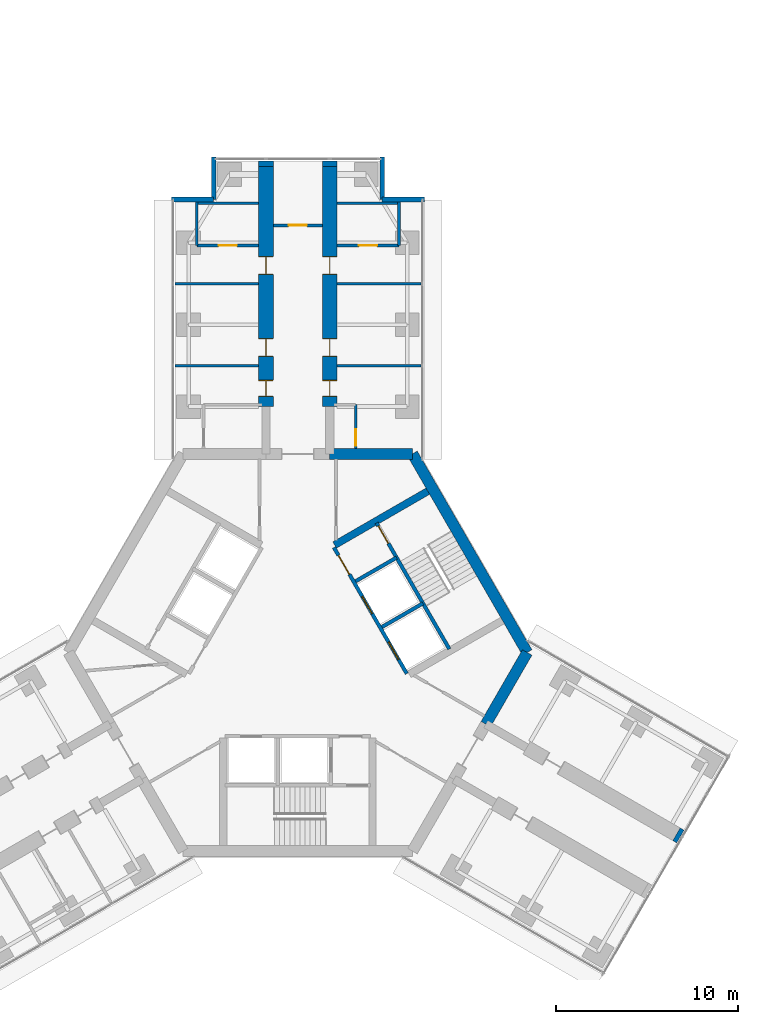
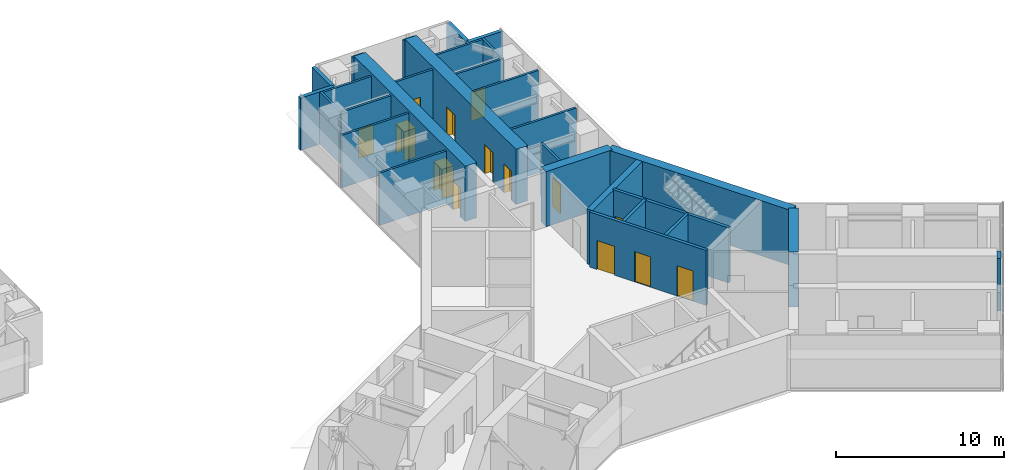
# One storey, part 20 of 22: 29 walls, 14 doors, 14 openings.
"""IFC4 building model written with IfcOpenShell, lengths in metres."""

from ifc_helpers import new_model, si_unit, direction, frame, frame_2d, origin, place, context, subcontext, project, spatial, rectangle, extrude, material, layer, layer_set, type_object, element, fill, save


model = new_model("IFC4")

# Units and contexts
model_context = context("Model", 3, precision=1e-05, world=origin(), true_north=direction((0.0, 1.0)))
body_context = subcontext(model_context, "Body", "Model", "MODEL_VIEW")
ifc_project = project(units=[si_unit("LENGTHUNIT", "METRE"), si_unit("AREAUNIT", "SQUARE_METRE"), si_unit("VOLUMEUNIT", "CUBIC_METRE"), si_unit("PLANEANGLEUNIT", "RADIAN"), si_unit("MASSUNIT", "GRAM", prefix="KILO")], contexts=[model_context])

# Site, building, storey
site_placement = place(None, origin())
site = spatial("IfcSite", under=ifc_project, at=site_placement, CompositionType="ELEMENT")
building_placement = place(site_placement, origin())
building = spatial("IfcBuilding", under=site, at=building_placement, Name="Upepo Twin Towers", CompositionType="ELEMENT")
storey_placement = place(building_placement, frame((0.0, 0.0, 141.5)))
storey = spatial("IfcBuildingStorey", under=building, at=storey_placement, Name="L34", CompositionType="ELEMENT", Elevation=141.5)

# Walls
ifc_material_1 = material(Name="Dense concrete blockwork", Category="masonry")
ifc_layer_1 = layer(ifc_material_1, 0.800048828125)
ifc_layer_set_1 = layer_set([ifc_layer_1], Name="Buttress closer 800, blockwork with fire-stopping to the curtain wall")
wall_type_1 = type_object("IfcWallType", Name="Buttress closer 800, blockwork with fire-stopping to the curtain wall", PredefinedType="PARTITIONING", material=ifc_layer_set_1)
for number, where, z_axis, x_axis, name in (
    (1, (56.75, 8.699951171875, 0.0), (0.0, 0.0, 1.0), (0.0, 1.0, 0.0), "T2 L34 wing A buttress closer L"),
    (2, (60.25, 8.699951171875, 0.0), (0.0, 0.0, 1.0), (0.0, 1.0, 0.0), "T2 L34 wing A buttress closer R"),
):
    element("IfcWall", number, at=place(storey_placement, frame(where, z_axis=z_axis, x_axis=x_axis)), inside=storey, type_object=wall_type_1, Name=name, PredefinedType="PARTITIONING", context=body_context, shape_type="SweptSolid", body=[
        extrude(rectangle(XDim=0.300048828125, YDim=0.800048828125, at=frame_2d((0.14990234375, 0.0))), origin(), (0.0, 0.0, 1.0), 3.800048828125),
    ])
wall_1_placement = place(storey_placement, frame((79.293701171875, -27.984375, 0.0), z_axis=(0.0, 0.0, 1.0), x_axis=(0.865827443207, -0.500342721131, 0.0)))
element("IfcWall", 3, at=wall_1_placement, inside=storey, type_object=wall_type_1, Name="T2 L34 wing C buttress closer L", PredefinedType="PARTITIONING", context=body_context, shape_type="SweptSolid", body=[
    extrude(rectangle(XDim=0.249755859375, YDim=0.800048828125, at=frame_2d((0.125, 0.0))), origin(), (0.0, 0.0, 1.0), 3.800048828125),
])

# Wall, openings, doors
ifc_material_2 = material(Name="Concrete C60/75", Category="concrete")
ifc_layer_2 = layer(ifc_material_2, 0.800048828125)
ifc_layer_set_2 = layer_set([ifc_layer_2], Name="Concrete C60/75")
wall_type_2 = type_object("IfcWallType", Name="Buttress wall 800 RC", PredefinedType="SHEAR", material=ifc_layer_set_2)
wall_2_placement = place(storey_placement, frame((56.75, -4.5, 0.0), z_axis=(0.0, 0.0, 1.0), x_axis=(0.0, 1.0, 0.0)))
wall_2 = element("IfcWall", 4, at=wall_2_placement, inside=storey, type_object=wall_type_2, Name="T2 wing A buttress wall L part 2", PredefinedType="SHEAR", context=body_context, shape_type="SweptSolid", body=[
    extrude(rectangle(XDim=13.199951171875, YDim=0.800048828125, at=frame_2d((6.60009765625, 0.0))), origin(), (0.0, 0.0, 1.0), 4.0),
])
opening_1_placement = place(wall_2_placement, frame((0.550048828125, 0.0, 0.0)))
opening_1 = element("IfcOpeningElement", 5, at=opening_1_placement, cuts=wall_2, Name="Opening D11", PredefinedType="OPENING", context=body_context, shape_type="SweptSolid", body=[
    extrude(rectangle(XDim=0.89990234375, YDim=2.10009765625, at=frame_2d((0.449951171875, 1.050048828125))), frame((0.0, 0.409912109375, 0.0), z_axis=(0.0, -1.0, 0.0), x_axis=(1.0, 0.0, 0.0)), (0.0, 0.0, 1.0), 0.820068359375),
])
opening_2_placement = place(wall_2_placement, frame((2.75, 0.0, 0.0)))
opening_2 = element("IfcOpeningElement", 6, at=opening_2_placement, cuts=wall_2, Name="Opening D1", PredefinedType="OPENING", context=body_context, shape_type="SweptSolid", body=[
    extrude(rectangle(XDim=1.0, YDim=2.10009765625, at=frame_2d((0.5, 1.050048828125))), frame((0.0, 0.409912109375, 0.0), z_axis=(0.0, -1.0, 0.0), x_axis=(1.0, 0.0, 0.0)), (0.0, 0.0, 1.0), 0.820068359375),
])
opening_3_placement = place(wall_2_placement, frame((7.25, 0.0, 0.0)))
opening_3 = element("IfcOpeningElement", 7, at=opening_3_placement, cuts=wall_2, Name="Opening D1", PredefinedType="OPENING", context=body_context, shape_type="SweptSolid", body=[
    extrude(rectangle(XDim=1.0, YDim=2.10009765625, at=frame_2d((0.5, 1.050048828125))), frame((0.0, 0.409912109375, 0.0), z_axis=(0.0, -1.0, 0.0), x_axis=(1.0, 0.0, 0.0)), (0.0, 0.0, 1.0), 0.820068359375),
])
ifc_material_3 = material(Name="Timber doorset", Category="wood")
door_type_1 = type_object("IfcDoorType", Name="Room door 1000 FD30", OperationType="SINGLE_SWING_LEFT", PredefinedType="DOOR", material=ifc_material_3)
door_1_placement = place(opening_2_placement, origin())
door_1 = element("IfcDoor", 8, at=door_1_placement, inside=storey, type_object=door_type_1, Name="T2 L34 tutorial room door", OperationType="SINGLE_SWING_LEFT", OverallHeight=2.10009765625, OverallWidth=1.0, PredefinedType="DOOR", context=body_context, shape_type="SweptSolid", body=[
    extrude(rectangle(XDim=0.92, YDim=2.06009765625, at=frame_2d((0.5, 1.030029296875))), frame((0.0, 0.02490234375, 0.0), z_axis=(0.0, -1.0, 0.0), x_axis=(1.0, 0.0, 0.0)), (0.0, 0.0, 1.0), 0.050048828125),
    extrude(rectangle(XDim=0.04, YDim=2.10009765625, at=frame_2d((0.02001953125, 1.050048828125))), frame((0.0, 0.39990234375, 0.0), z_axis=(0.0, -1.0, 0.0), x_axis=(1.0, 0.0, 0.0)), (0.0, 0.0, 1.0), 0.799560546875),
    extrude(rectangle(XDim=0.04, YDim=2.10009765625, at=frame_2d((0.97998046875, 1.050048828125))), frame((0.0, 0.39990234375, 0.0), z_axis=(0.0, -1.0, 0.0), x_axis=(1.0, 0.0, 0.0)), (0.0, 0.0, 1.0), 0.799560546875),
    extrude(rectangle(XDim=0.92, YDim=0.04, at=frame_2d((0.5, 2.080078125))), frame((0.0, 0.39990234375, 0.0), z_axis=(0.0, -1.0, 0.0), x_axis=(1.0, 0.0, 0.0)), (0.0, 0.0, 1.0), 0.799560546875),
])
fill(opening_2, door_1)
door_2_placement = place(opening_3_placement, origin())
door_2 = element("IfcDoor", 9, at=door_2_placement, inside=storey, type_object=door_type_1, Name="T2 L34 staff office door", OperationType="SINGLE_SWING_RIGHT", OverallHeight=2.10009765625, OverallWidth=1.0, PredefinedType="DOOR", context=body_context, shape_type="SweptSolid", body=[
    extrude(rectangle(XDim=0.92, YDim=2.06009765625, at=frame_2d((0.5, 1.030029296875))), frame((0.0, 0.02490234375, 0.0), z_axis=(0.0, -1.0, 0.0), x_axis=(1.0, 0.0, 0.0)), (0.0, 0.0, 1.0), 0.050048828125),
    extrude(rectangle(XDim=0.04, YDim=2.10009765625, at=frame_2d((0.02001953125, 1.050048828125))), frame((0.0, 0.39990234375, 0.0), z_axis=(0.0, -1.0, 0.0), x_axis=(1.0, 0.0, 0.0)), (0.0, 0.0, 1.0), 0.799560546875),
    extrude(rectangle(XDim=0.04, YDim=2.10009765625, at=frame_2d((0.97998046875, 1.050048828125))), frame((0.0, 0.39990234375, 0.0), z_axis=(0.0, -1.0, 0.0), x_axis=(1.0, 0.0, 0.0)), (0.0, 0.0, 1.0), 0.799560546875),
    extrude(rectangle(XDim=0.92, YDim=0.04, at=frame_2d((0.5, 2.080078125))), frame((0.0, 0.39990234375, 0.0), z_axis=(0.0, -1.0, 0.0), x_axis=(1.0, 0.0, 0.0)), (0.0, 0.0, 1.0), 0.799560546875),
])
fill(opening_3, door_2)
ifc_material_4 = material(Name="Timber doorset", Category="wood")
door_type_2 = type_object("IfcDoorType", Name="Toilet door 900", OperationType="SINGLE_SWING_LEFT", PredefinedType="DOOR", material=ifc_material_4)
door_3_placement = place(opening_1_placement, origin())
door_3 = element("IfcDoor", 10, at=door_3_placement, inside=storey, type_object=door_type_2, Name="T2 L34 accessible wc door", OperationType="SINGLE_SWING_LEFT", OverallHeight=2.10009765625, OverallWidth=0.89990234375, PredefinedType="DOOR", context=body_context, shape_type="SweptSolid", body=[
    extrude(rectangle(XDim=0.81990234375, YDim=2.06009765625, at=frame_2d((0.449951171875, 1.030029296875))), frame((0.0, 0.02490234375, 0.0), z_axis=(0.0, -1.0, 0.0), x_axis=(1.0, 0.0, 0.0)), (0.0, 0.0, 1.0), 0.050048828125),
    extrude(rectangle(XDim=0.04, YDim=2.10009765625, at=frame_2d((0.02001953125, 1.050048828125))), frame((0.0, 0.39990234375, 0.0), z_axis=(0.0, -1.0, 0.0), x_axis=(1.0, 0.0, 0.0)), (0.0, 0.0, 1.0), 0.799560546875),
    extrude(rectangle(XDim=0.04, YDim=2.10009765625, at=frame_2d((0.8798828125, 1.050048828125))), frame((0.0, 0.39990234375, 0.0), z_axis=(0.0, -1.0, 0.0), x_axis=(1.0, 0.0, 0.0)), (0.0, 0.0, 1.0), 0.799560546875),
    extrude(rectangle(XDim=0.81990234375, YDim=0.04, at=frame_2d((0.449951171875, 2.080078125))), frame((0.0, 0.39990234375, 0.0), z_axis=(0.0, -1.0, 0.0), x_axis=(1.0, 0.0, 0.0)), (0.0, 0.0, 1.0), 0.799560546875),
])
fill(opening_1, door_3)

wall_3_placement = place(storey_placement, frame((60.25, -4.5, 0.0), z_axis=(0.0, 0.0, 1.0), x_axis=(0.0, 1.0, 0.0)))
wall_3 = element("IfcWall", 11, at=wall_3_placement, inside=storey, type_object=wall_type_2, Name="T2 wing A buttress wall R part 2", PredefinedType="SHEAR", context=body_context, shape_type="SweptSolid", body=[
    extrude(rectangle(XDim=13.199951171875, YDim=0.800048828125, at=frame_2d((6.60009765625, 0.0))), origin(), (0.0, 0.0, 1.0), 4.0),
])
opening_4_placement = place(wall_3_placement, frame((0.550048828125, 0.0, 0.0)))
opening_4 = element("IfcOpeningElement", 12, at=opening_4_placement, cuts=wall_3, Name="Opening D11", PredefinedType="OPENING", context=body_context, shape_type="SweptSolid", body=[
    extrude(rectangle(XDim=0.89990234375, YDim=2.10009765625, at=frame_2d((0.449951171875, 1.050048828125))), frame((0.0, 0.409912109375, 0.0), z_axis=(0.0, -1.0, 0.0), x_axis=(1.0, 0.0, 0.0)), (0.0, 0.0, 1.0), 0.820068359375),
])
opening_5_placement = place(wall_3_placement, frame((2.75, 0.0, 0.0)))
opening_5 = element("IfcOpeningElement", 13, at=opening_5_placement, cuts=wall_3, Name="Opening D1", PredefinedType="OPENING", context=body_context, shape_type="SweptSolid", body=[
    extrude(rectangle(XDim=1.0, YDim=2.10009765625, at=frame_2d((0.5, 1.050048828125))), frame((0.0, 0.409912109375, 0.0), z_axis=(0.0, -1.0, 0.0), x_axis=(1.0, 0.0, 0.0)), (0.0, 0.0, 1.0), 0.820068359375),
])
opening_6_placement = place(wall_3_placement, frame((7.25, 0.0, 0.0)))
opening_6 = element("IfcOpeningElement", 14, at=opening_6_placement, cuts=wall_3, Name="Opening D1", PredefinedType="OPENING", context=body_context, shape_type="SweptSolid", body=[
    extrude(rectangle(XDim=1.0, YDim=2.10009765625, at=frame_2d((0.5, 1.050048828125))), frame((0.0, 0.409912109375, 0.0), z_axis=(0.0, -1.0, 0.0), x_axis=(1.0, 0.0, 0.0)), (0.0, 0.0, 1.0), 0.820068359375),
])
door_4_placement = place(opening_5_placement, origin())
door_4 = element("IfcDoor", 15, at=door_4_placement, inside=storey, type_object=door_type_1, Name="T2 L34 seminar room door", OperationType="SINGLE_SWING_LEFT", OverallHeight=2.10009765625, OverallWidth=1.0, PredefinedType="DOOR", context=body_context, shape_type="SweptSolid", body=[
    extrude(rectangle(XDim=0.92, YDim=2.06009765625, at=frame_2d((0.5, 1.030029296875))), frame((0.0, 0.02490234375, 0.0), z_axis=(0.0, -1.0, 0.0), x_axis=(1.0, 0.0, 0.0)), (0.0, 0.0, 1.0), 0.050048828125),
    extrude(rectangle(XDim=0.04, YDim=2.10009765625, at=frame_2d((0.02001953125, 1.050048828125))), frame((0.0, 0.39990234375, 0.0), z_axis=(0.0, -1.0, 0.0), x_axis=(1.0, 0.0, 0.0)), (0.0, 0.0, 1.0), 0.799560546875),
    extrude(rectangle(XDim=0.04, YDim=2.10009765625, at=frame_2d((0.97998046875, 1.050048828125))), frame((0.0, 0.39990234375, 0.0), z_axis=(0.0, -1.0, 0.0), x_axis=(1.0, 0.0, 0.0)), (0.0, 0.0, 1.0), 0.799560546875),
    extrude(rectangle(XDim=0.92, YDim=0.04, at=frame_2d((0.5, 2.080078125))), frame((0.0, 0.39990234375, 0.0), z_axis=(0.0, -1.0, 0.0), x_axis=(1.0, 0.0, 0.0)), (0.0, 0.0, 1.0), 0.799560546875),
])
fill(opening_5, door_4)
door_5_placement = place(opening_6_placement, origin())
door_5 = element("IfcDoor", 16, at=door_5_placement, inside=storey, type_object=door_type_1, Name="T2 L34 tutorial room door", OperationType="SINGLE_SWING_RIGHT", OverallHeight=2.10009765625, OverallWidth=1.0, PredefinedType="DOOR", context=body_context, shape_type="SweptSolid", body=[
    extrude(rectangle(XDim=0.92, YDim=2.06009765625, at=frame_2d((0.5, 1.030029296875))), frame((0.0, 0.02490234375, 0.0), z_axis=(0.0, -1.0, 0.0), x_axis=(1.0, 0.0, 0.0)), (0.0, 0.0, 1.0), 0.050048828125),
    extrude(rectangle(XDim=0.04, YDim=2.10009765625, at=frame_2d((0.02001953125, 1.050048828125))), frame((0.0, 0.39990234375, 0.0), z_axis=(0.0, -1.0, 0.0), x_axis=(1.0, 0.0, 0.0)), (0.0, 0.0, 1.0), 0.799560546875),
    extrude(rectangle(XDim=0.04, YDim=2.10009765625, at=frame_2d((0.97998046875, 1.050048828125))), frame((0.0, 0.39990234375, 0.0), z_axis=(0.0, -1.0, 0.0), x_axis=(1.0, 0.0, 0.0)), (0.0, 0.0, 1.0), 0.799560546875),
    extrude(rectangle(XDim=0.92, YDim=0.04, at=frame_2d((0.5, 2.080078125))), frame((0.0, 0.39990234375, 0.0), z_axis=(0.0, -1.0, 0.0), x_axis=(1.0, 0.0, 0.0)), (0.0, 0.0, 1.0), 0.799560546875),
])
fill(opening_6, door_5)
door_6_placement = place(opening_4_placement, origin())
door_6 = element("IfcDoor", 17, at=door_6_placement, inside=storey, type_object=door_type_2, Name="T2 L34 toilets door", OperationType="SINGLE_SWING_LEFT", OverallHeight=2.10009765625, OverallWidth=0.89990234375, PredefinedType="DOOR", context=body_context, shape_type="SweptSolid", body=[
    extrude(rectangle(XDim=0.81990234375, YDim=2.06009765625, at=frame_2d((0.449951171875, 1.030029296875))), frame((0.0, 0.02490234375, 0.0), z_axis=(0.0, -1.0, 0.0), x_axis=(1.0, 0.0, 0.0)), (0.0, 0.0, 1.0), 0.050048828125),
    extrude(rectangle(XDim=0.04, YDim=2.10009765625, at=frame_2d((0.02001953125, 1.050048828125))), frame((0.0, 0.39990234375, 0.0), z_axis=(0.0, -1.0, 0.0), x_axis=(1.0, 0.0, 0.0)), (0.0, 0.0, 1.0), 0.799560546875),
    extrude(rectangle(XDim=0.04, YDim=2.10009765625, at=frame_2d((0.8798828125, 1.050048828125))), frame((0.0, 0.39990234375, 0.0), z_axis=(0.0, -1.0, 0.0), x_axis=(1.0, 0.0, 0.0)), (0.0, 0.0, 1.0), 0.799560546875),
    extrude(rectangle(XDim=0.81990234375, YDim=0.04, at=frame_2d((0.449951171875, 2.080078125))), frame((0.0, 0.39990234375, 0.0), z_axis=(0.0, -1.0, 0.0), x_axis=(1.0, 0.0, 0.0)), (0.0, 0.0, 1.0), 0.799560546875),
])
fill(opening_4, door_6)

# Walls
ifc_material_5 = material(Name="Concrete C60/75", Category="concrete")
ifc_layer_3 = layer(ifc_material_5, 0.60009765625)
ifc_layer_set_3 = layer_set([ifc_layer_3], Name="Concrete C60/75")
wall_type_3 = type_object("IfcWallType", Name="Core wall 600 RC", PredefinedType="SHEAR", material=ifc_layer_set_3)
wall_4_placement = place(storey_placement, frame((64.7978515625, -7.091552734375, 0.0), z_axis=(0.0, 0.0, 1.0), x_axis=(-1.0, 0.0, 0.0)))
element("IfcWall", 18, at=wall_4_placement, inside=storey, type_object=wall_type_3, Name="T2 core wall 000 R", PredefinedType="SHEAR", context=body_context, shape_type="SweptSolid", body=[
    extrude(rectangle(XDim=4.5478515625, YDim=0.60009765625, at=frame_2d((2.27392578125, 0.0))), origin(), (0.0, 0.0, 1.0), 4.0),
])
wall_5_placement = place(storey_placement, frame((68.82177734375, -21.938720703125, 0.0), z_axis=(0.0, 0.0, 1.0), x_axis=(0.500024481964, 0.866011268655, 0.0)))
element("IfcWall", 19, at=wall_5_placement, inside=storey, type_object=wall_type_3, Name="T2 core wall 240 L", PredefinedType="SHEAR", context=body_context, shape_type="SweptSolid", body=[
    extrude(rectangle(XDim=4.548095703125, YDim=0.60009765625, at=frame_2d((2.27392578125, 0.0))), origin(), (0.0, 0.0, 1.0), 4.0),
])
wall_6_placement = place(storey_placement, frame((71.095947265625, -18.0, 0.0), z_axis=(0.0, 0.0, 1.0), x_axis=(-0.500005998175, 0.866021940709, 0.0)))
element("IfcWall", 20, at=wall_6_placement, inside=storey, type_object=wall_type_3, Name="T2 core wall 300", PredefinedType="SHEAR", context=body_context, shape_type="SweptSolid", body=[
    extrude(rectangle(XDim=12.595947265625, YDim=0.60009765625, at=frame_2d((6.2978515625, 0.0))), origin(), (0.0, 0.0, 1.0), 4.0),
])
ifc_material_6 = material(Name="Blockwork with anodised aluminium cladding", Category="masonry")
ifc_layer_4 = layer(ifc_material_6, 0.25)
ifc_layer_set_4 = layer_set([ifc_layer_4], Name="Notch cladding wall 250, pale metal")
wall_type_4 = type_object("IfcWallType", Name="Notch cladding wall 250, pale metal", PredefinedType="STANDARD", material=ifc_layer_set_4)
for number, where, z_axis, x_axis, name in (
    (21, (51.550048828125, 6.875, 0.0), (0.0, 0.0, 1.0), (1.0, 0.0, 0.0), "T2 L34 wing A notch wall L1"),
    (22, (53.875, 6.875, 0.0), (0.0, 0.0, 1.0), (0.0, 1.0, 0.0), "T2 L34 wing A notch wall L2"),
    (23, (65.449951171875, 6.875, 0.0), (0.0, 0.0, 1.0), (-1.0, 0.0, 0.0), "T2 L34 wing A notch wall R1"),
    (24, (63.125, 6.875, 0.0), (0.0, 0.0, 1.0), (0.0, 1.0, 0.0), "T2 L34 wing A notch wall R2"),
):
    element("IfcWall", number, at=place(storey_placement, frame(where, z_axis=z_axis, x_axis=x_axis)), inside=storey, type_object=wall_type_4, Name=name, PredefinedType="STANDARD", context=body_context, shape_type="SweptSolid", body=[
        extrude(rectangle(XDim=2.324951171875, YDim=0.25, at=frame_2d((1.16259765625, 0.0))), origin(), (0.0, 0.0, 1.0), 3.800048828125),
    ])

# Wall, openings, doors
ifc_material_7 = material(Name="Concrete C40/50", Category="concrete")
ifc_layer_5 = layer(ifc_material_7, 0.199951171875)
ifc_layer_set_5 = layer_set([ifc_layer_5], Name="Concrete C40/50")
wall_type_5 = type_object("IfcWallType", Name="Shaft wall 200 RC", PredefinedType="SHEAR", material=ifc_layer_set_5)
wall_7_placement = place(storey_placement, frame((64.483642578125, -19.1640625, 0.0), z_axis=(0.0, 0.0, 1.0), x_axis=(-0.49999894854, 0.866026010844, 0.0)))
wall_7 = element("IfcWall", 25, at=wall_7_placement, inside=storey, type_object=wall_type_5, Name="T2 core W300 front wall", PredefinedType="SHEAR", context=body_context, shape_type="SweptSolid", body=[
    extrude(rectangle(XDim=8.0, YDim=0.199951171875, at=frame_2d((4.0, 0.0))), origin(), (0.0, 0.0, 1.0), 4.0),
])
opening_7_placement = place(wall_7_placement, frame((6.300048828125, 0.0, 0.0)))
opening_7 = element("IfcOpeningElement", 26, at=opening_7_placement, cuts=wall_7, Name="Opening D4", PredefinedType="OPENING", context=body_context, shape_type="SweptSolid", body=[
    extrude(rectangle(XDim=1.199951171875, YDim=2.10009765625, at=frame_2d((0.60009765625, 1.050048828125))), frame((0.0, 0.10986328125, 0.0), z_axis=(0.0, -1.0, 0.0), x_axis=(1.0, 0.0, 0.0)), (0.0, 0.0, 1.0), 0.219970703125),
])
opening_8_placement = place(wall_7_placement, frame((0.89990234375, 0.0, 0.0)))
opening_8 = element("IfcOpeningElement", 27, at=opening_8_placement, cuts=wall_7, Name="Opening LD1", PredefinedType="OPENING", context=body_context, shape_type="SweptSolid", body=[
    extrude(rectangle(XDim=1.10009765625, YDim=2.199951171875, at=frame_2d((0.550048828125, 1.10009765625))), frame((0.0, 0.10986328125, 0.0), z_axis=(0.0, -1.0, 0.0), x_axis=(1.0, 0.0, 0.0)), (0.0, 0.0, 1.0), 0.219970703125),
])
opening_9_placement = place(wall_7_placement, frame((3.800048828125, 0.0, 0.0)))
opening_9 = element("IfcOpeningElement", 28, at=opening_9_placement, cuts=wall_7, Name="Opening LD1", PredefinedType="OPENING", context=body_context, shape_type="SweptSolid", body=[
    extrude(rectangle(XDim=1.10009765625, YDim=2.199951171875, at=frame_2d((0.550048828125, 1.10009765625))), frame((0.0, 0.10986328125, 0.0), z_axis=(0.0, -1.0, 0.0), x_axis=(1.0, 0.0, 0.0)), (0.0, 0.0, 1.0), 0.219970703125),
])
ifc_material_8 = material(Name="Steel doorset", Category="steel")
door_type_3 = type_object("IfcDoorType", Name="Lift landing door 1100", OperationType="DOUBLE_DOOR_SLIDING", PredefinedType="DOOR", material=ifc_material_8)
door_7_placement = place(opening_8_placement, origin())
door_7 = element("IfcDoor", 29, at=door_7_placement, inside=storey, type_object=door_type_3, Name="T2 L34 lift ML1 landing door", OperationType="DOUBLE_DOOR_SLIDING", OverallHeight=2.199951171875, OverallWidth=1.10009765625, PredefinedType="DOOR", context=body_context, shape_type="SweptSolid", body=[
    extrude(rectangle(XDim=1.10009765625, YDim=2.199951171875, at=frame_2d((0.550048828125, 1.10009765625))), frame((0.0, 0.02490234375, 0.0), z_axis=(0.0, -1.0, 0.0), x_axis=(1.0, 0.0, 0.0)), (0.0, 0.0, 1.0), 0.050048828125),
])
fill(opening_8, door_7)
door_8_placement = place(opening_9_placement, origin())
door_8 = element("IfcDoor", 30, at=door_8_placement, inside=storey, type_object=door_type_3, Name="T2 L34 lift ML2 landing door", OperationType="DOUBLE_DOOR_SLIDING", OverallHeight=2.199951171875, OverallWidth=1.10009765625, PredefinedType="DOOR", context=body_context, shape_type="SweptSolid", body=[
    extrude(rectangle(XDim=1.10009765625, YDim=2.199951171875, at=frame_2d((0.550048828125, 1.10009765625))), frame((0.0, 0.02490234375, 0.0), z_axis=(0.0, -1.0, 0.0), x_axis=(1.0, 0.0, 0.0)), (0.0, 0.0, 1.0), 0.050048828125),
])
fill(opening_9, door_8)
ifc_material_9 = material(Name="Timber doorset", Category="wood")
door_type_4 = type_object("IfcDoorType", Name="Lobby door 1200 FD60", OperationType="SINGLE_SWING_LEFT", PredefinedType="DOOR", material=ifc_material_9)
door_9_placement = place(opening_7_placement, origin())
door_9 = element("IfcDoor", 31, at=door_9_placement, inside=storey, type_object=door_type_4, Name="T2 L34 W300 lobby door", OperationType="SINGLE_SWING_RIGHT", OverallHeight=2.10009765625, OverallWidth=1.199951171875, PredefinedType="DOOR", context=body_context, shape_type="SweptSolid", body=[
    extrude(rectangle(XDim=1.199951171875, YDim=2.10009765625, at=frame_2d((0.60009765625, 1.050048828125))), frame((0.0, 0.02490234375, 0.0), z_axis=(0.0, -1.0, 0.0), x_axis=(1.0, 0.0, 0.0)), (0.0, 0.0, 1.0), 0.050048828125),
])
fill(opening_7, door_9)

# Walls
wall_8_placement = place(storey_placement, frame((63.120361328125, -16.6025390625, 0.0), z_axis=(0.0, 0.0, 1.0), x_axis=(0.866062058628, 0.499936506574, 0.0)))
element("IfcWall", 32, at=wall_8_placement, inside=storey, type_object=wall_type_5, Name="T2 core W300 shaft divider", PredefinedType="SHEAR", context=body_context, shape_type="SweptSolid", body=[
    extrude(rectangle(XDim=2.599853515625, YDim=0.199951171875, at=frame_2d((1.2998046875, 0.0))), origin(), (0.0, 0.0, 1.0), 4.0),
])
wall_9_placement = place(storey_placement, frame((61.67041015625, -14.091064453125, 0.0), z_axis=(0.0, 0.0, 1.0), x_axis=(0.86603858612, 0.49997716683, 0.0)))
element("IfcWall", 33, at=wall_9_placement, inside=storey, type_object=wall_type_5, Name="T2 core W300 lobby wall", PredefinedType="SHEAR", context=body_context, shape_type="SweptSolid", body=[
    extrude(rectangle(XDim=2.599609375, YDim=0.199951171875, at=frame_2d((1.2998046875, 0.0))), origin(), (0.0, 0.0, 1.0), 4.0),
])

# Wall, opening, door
wall_10_placement = place(storey_placement, frame((66.822021484375, -17.814208984375, 0.0), z_axis=(0.0, 0.0, 1.0), x_axis=(-0.49999894854, 0.866026010844, 0.0)))
wall_10 = element("IfcWall", 34, at=wall_10_placement, inside=storey, type_object=wall_type_5, Name="T2 core W300 stair wall", PredefinedType="SHEAR", context=body_context, shape_type="SweptSolid", body=[
    extrude(rectangle(XDim=8.0, YDim=0.199951171875, at=frame_2d((4.0, 0.0))), origin(), (0.0, 0.0, 1.0), 4.0),
])
opening_10_placement = place(wall_10_placement, frame((6.699951171875, 0.0, 0.0)))
opening_10 = element("IfcOpeningElement", 35, at=opening_10_placement, cuts=wall_10, Name="Opening D3", PredefinedType="OPENING", context=body_context, shape_type="SweptSolid", body=[
    extrude(rectangle(XDim=1.10009765625, YDim=2.10009765625, at=frame_2d((0.550048828125, 1.050048828125))), frame((0.0, 0.10986328125, 0.0), z_axis=(0.0, -1.0, 0.0), x_axis=(1.0, 0.0, 0.0)), (0.0, 0.0, 1.0), 0.219970703125),
])
ifc_material_10 = material(Name="Timber doorset", Category="wood")
door_type_5 = type_object("IfcDoorType", Name="Stair door 1100 FD60", OperationType="SINGLE_SWING_LEFT", PredefinedType="DOOR", material=ifc_material_10)
door_10_placement = place(opening_10_placement, origin())
door_10 = element("IfcDoor", 36, at=door_10_placement, inside=storey, type_object=door_type_5, Name="T2 L34 stair door", OperationType="SINGLE_SWING_RIGHT", OverallHeight=2.10009765625, OverallWidth=1.10009765625, PredefinedType="DOOR", context=body_context, shape_type="SweptSolid", body=[
    extrude(rectangle(XDim=1.10009765625, YDim=2.10009765625, at=frame_2d((0.550048828125, 1.050048828125))), frame((0.0, 0.02490234375, 0.0), z_axis=(0.0, -1.0, 0.0), x_axis=(1.0, 0.0, 0.0)), (0.0, 0.0, 1.0), 0.050048828125),
])
fill(opening_10, door_10)

# Walls
ifc_material_11 = material(Name="Concrete C40/50", Category="concrete")
ifc_layer_6 = layer(ifc_material_11, 0.39990234375)
ifc_layer_set_6 = layer_set([ifc_layer_6], Name="Concrete C40/50")
wall_type_6 = type_object("IfcWallType", Name="Shaft wall 400 RC", PredefinedType="SHEAR", material=ifc_layer_set_6)
wall_11_placement = place(storey_placement, frame((60.520263671875, -12.099365234375, 0.0), z_axis=(0.0, 0.0, 1.0), x_axis=(0.866009424208, 0.500027676417, 0.0)))
element("IfcWall", 37, at=wall_11_placement, inside=storey, type_object=wall_type_6, Name="T2 core W300 side wall N", PredefinedType="SHEAR", context=body_context, shape_type="SweptSolid", body=[
    extrude(rectangle(XDim=5.908447265625, YDim=0.39990234375, at=frame_2d((2.9541015625, 0.0))), origin(), (0.0, 0.0, 1.0), 4.0),
])
ifc_material_12 = material(Name="Gypsum board on steel studs", Category="steel")
ifc_layer_7 = layer(ifc_material_12, 0.14990234375)
ifc_layer_set_7 = layer_set([ifc_layer_7], Name="Teaching partition 150 acoustic")
wall_type_7 = type_object("IfcWallType", Name="Teaching partition 150 acoustic", PredefinedType="PARTITIONING", material=ifc_layer_set_7)
for number, where, z_axis, x_axis, name in (
    (38, (56.35009765625, -2.25, 0.0), (0.0, 0.0, 1.0), (-1.0, 0.0, 0.0), "T2 partition AL at 15.75"),
    (39, (56.35009765625, 2.25, 0.0), (0.0, 0.0, 1.0), (-1.0, 0.0, 0.0), "T2 partition AL at 20.25"),
):
    element("IfcWall", number, at=place(storey_placement, frame(where, z_axis=z_axis, x_axis=x_axis)), inside=storey, type_object=wall_type_7, Name=name, PredefinedType="PARTITIONING", context=body_context, shape_type="SweptSolid", body=[
        extrude(rectangle(XDim=4.60009765625, YDim=0.14990234375, at=frame_2d((2.300048828125, 0.0))), origin(), (0.0, 0.0, 1.0), 3.800048828125),
    ])
wall_12_placement = place(storey_placement, frame((52.949951171875, 4.35009765625, 0.0), z_axis=(0.0, 0.0, 1.0), x_axis=(0.0, 1.0, 0.0)))
element("IfcWall", 40, at=wall_12_placement, inside=storey, type_object=wall_type_7, Name="T2 inner room partition AL at 22.35", PredefinedType="PARTITIONING", context=body_context, shape_type="SweptSolid", body=[
    extrude(rectangle(XDim=2.39990234375, YDim=0.14990234375, at=frame_2d((1.199951171875, 0.0))), origin(), (0.0, 0.0, 1.0), 3.800048828125),
])

# Wall, opening, door
wall_13_placement = place(storey_placement, frame((56.35009765625, 4.35009765625, 0.0), z_axis=(0.0, 0.0, 1.0), x_axis=(-1.0, 0.0, 0.0)))
wall_13 = element("IfcWall", 41, at=wall_13_placement, inside=storey, type_object=wall_type_7, Name="T2 inner room partition AL end at 22.35", PredefinedType="PARTITIONING", context=body_context, shape_type="SweptSolid", body=[
    extrude(rectangle(XDim=3.400146484375, YDim=0.14990234375, at=frame_2d((1.7001953125, 0.0))), origin(), (0.0, 0.0, 1.0), 3.800048828125),
])
opening_11_placement = place(wall_13_placement, frame((1.199951171875, 0.0, 0.0)))
opening_11 = element("IfcOpeningElement", 42, at=opening_11_placement, cuts=wall_13, Name="Opening D1", PredefinedType="OPENING", context=body_context, shape_type="SweptSolid", body=[
    extrude(rectangle(XDim=1.0, YDim=2.10009765625, at=frame_2d((0.5, 1.050048828125))), frame((0.0, 0.0849609375, 0.0), z_axis=(0.0, -1.0, 0.0), x_axis=(1.0, 0.0, 0.0)), (0.0, 0.0, 1.0), 0.169921875),
])
door_11_placement = place(opening_11_placement, origin())
door_11 = element("IfcDoor", 43, at=door_11_placement, inside=storey, type_object=door_type_1, Name="T2 L34 inner room door", OperationType="SINGLE_SWING_LEFT", OverallHeight=2.10009765625, OverallWidth=1.0, PredefinedType="DOOR", context=body_context, shape_type="SweptSolid", body=[
    extrude(rectangle(XDim=1.0, YDim=2.10009765625, at=frame_2d((0.5, 1.050048828125))), frame((0.0, 0.02490234375, 0.0), z_axis=(0.0, -1.0, 0.0), x_axis=(1.0, 0.0, 0.0)), (0.0, 0.0, 1.0), 0.050048828125),
])
fill(opening_11, door_11)

# Walls
wall_14_placement = place(storey_placement, frame((56.35009765625, 6.675048828125, 0.0), z_axis=(0.0, 0.0, 1.0), x_axis=(-1.0, 0.0, 0.0)))
element("IfcWall", 44, at=wall_14_placement, inside=storey, type_object=wall_type_7, Name="T2 inner room partition AL end at 24.75", PredefinedType="PARTITIONING", context=body_context, shape_type="SweptSolid", body=[
    extrude(rectangle(XDim=3.400146484375, YDim=0.14990234375, at=frame_2d((1.7001953125, 0.0))), origin(), (0.0, 0.0, 1.0), 3.800048828125),
])
for number, where, z_axis, x_axis, name in (
    (45, (60.64990234375, -2.25, 0.0), (0.0, 0.0, 1.0), (1.0, 0.0, 0.0), "T2 partition AR at 15.75"),
    (46, (60.64990234375, 2.25, 0.0), (0.0, 0.0, 1.0), (1.0, 0.0, 0.0), "T2 partition AR at 20.25"),
):
    element("IfcWall", number, at=place(storey_placement, frame(where, z_axis=z_axis, x_axis=x_axis)), inside=storey, type_object=wall_type_7, Name=name, PredefinedType="PARTITIONING", context=body_context, shape_type="SweptSolid", body=[
        extrude(rectangle(XDim=4.60009765625, YDim=0.14990234375, at=frame_2d((2.300048828125, 0.0))), origin(), (0.0, 0.0, 1.0), 3.800048828125),
    ])
wall_15_placement = place(storey_placement, frame((64.050048828125, 4.35009765625, 0.0), z_axis=(0.0, 0.0, 1.0), x_axis=(0.0, 1.0, 0.0)))
element("IfcWall", 47, at=wall_15_placement, inside=storey, type_object=wall_type_7, Name="T2 inner room partition AR at 22.35", PredefinedType="PARTITIONING", context=body_context, shape_type="SweptSolid", body=[
    extrude(rectangle(XDim=2.39990234375, YDim=0.14990234375, at=frame_2d((1.199951171875, 0.0))), origin(), (0.0, 0.0, 1.0), 3.800048828125),
])

# Wall, opening, door
wall_16_placement = place(storey_placement, frame((60.64990234375, 4.35009765625, 0.0), z_axis=(0.0, 0.0, 1.0), x_axis=(1.0, 0.0, 0.0)))
wall_16 = element("IfcWall", 48, at=wall_16_placement, inside=storey, type_object=wall_type_7, Name="T2 inner room partition AR end at 22.35", PredefinedType="PARTITIONING", context=body_context, shape_type="SweptSolid", body=[
    extrude(rectangle(XDim=3.400146484375, YDim=0.14990234375, at=frame_2d((1.7001953125, 0.0))), origin(), (0.0, 0.0, 1.0), 3.800048828125),
])
opening_12_placement = place(wall_16_placement, frame((1.199951171875, 0.0, 0.0)))
opening_12 = element("IfcOpeningElement", 49, at=opening_12_placement, cuts=wall_16, Name="Opening D1", PredefinedType="OPENING", context=body_context, shape_type="SweptSolid", body=[
    extrude(rectangle(XDim=1.0, YDim=2.10009765625, at=frame_2d((0.5, 1.050048828125))), frame((0.0, 0.0849609375, 0.0), z_axis=(0.0, -1.0, 0.0), x_axis=(1.0, 0.0, 0.0)), (0.0, 0.0, 1.0), 0.169921875),
])
door_12_placement = place(opening_12_placement, origin())
door_12 = element("IfcDoor", 50, at=door_12_placement, inside=storey, type_object=door_type_1, Name="T2 L34 inner room door", OperationType="SINGLE_SWING_LEFT", OverallHeight=2.10009765625, OverallWidth=1.0, PredefinedType="DOOR", context=body_context, shape_type="SweptSolid", body=[
    extrude(rectangle(XDim=1.0, YDim=2.10009765625, at=frame_2d((0.5, 1.050048828125))), frame((0.0, 0.02490234375, 0.0), z_axis=(0.0, -1.0, 0.0), x_axis=(1.0, 0.0, 0.0)), (0.0, 0.0, 1.0), 0.050048828125),
])
fill(opening_12, door_12)

# Wall
wall_17_placement = place(storey_placement, frame((60.64990234375, 6.675048828125, 0.0), z_axis=(0.0, 0.0, 1.0), x_axis=(1.0, 0.0, 0.0)))
element("IfcWall", 51, at=wall_17_placement, inside=storey, type_object=wall_type_7, Name="T2 inner room partition AR end at 24.75", PredefinedType="PARTITIONING", context=body_context, shape_type="SweptSolid", body=[
    extrude(rectangle(XDim=3.400146484375, YDim=0.14990234375, at=frame_2d((1.7001953125, 0.0))), origin(), (0.0, 0.0, 1.0), 3.800048828125),
])

# Wall, opening, door
wall_18_placement = place(storey_placement, frame((61.675048828125, -6.7919921875, 0.0), z_axis=(0.0, 0.0, 1.0), x_axis=(0.0, 1.0, 0.0)))
wall_18 = element("IfcWall", 52, at=wall_18_placement, inside=storey, type_object=wall_type_7, Name="T2 WC bay partition AR at 11.21", PredefinedType="PARTITIONING", context=body_context, shape_type="SweptSolid", body=[
    extrude(rectangle(XDim=2.39990234375, YDim=0.14990234375, at=frame_2d((1.199951171875, 0.0))), origin(), (0.0, 0.0, 1.0), 3.800048828125),
])
opening_13_placement = place(wall_18_placement, frame((0.14990234375, 0.0, 0.0)))
opening_13 = element("IfcOpeningElement", 53, at=opening_13_placement, cuts=wall_18, Name="Opening D14", PredefinedType="OPENING", context=body_context, shape_type="SweptSolid", body=[
    extrude(rectangle(XDim=0.89990234375, YDim=2.10009765625, at=frame_2d((0.449951171875, 1.050048828125))), frame((0.0, 0.0849609375, 0.0), z_axis=(0.0, -1.0, 0.0), x_axis=(1.0, 0.0, 0.0)), (0.0, 0.0, 1.0), 0.169921875),
])
ifc_material_13 = material(Name="Timber doorset", Category="wood")
door_type_6 = type_object("IfcDoorType", Name="Office door 900 FD30", OperationType="SINGLE_SWING_LEFT", PredefinedType="DOOR", material=ifc_material_13)
door_13_placement = place(opening_13_placement, origin())
door_13 = element("IfcDoor", 54, at=door_13_placement, inside=storey, type_object=door_type_6, Name="T2 L34 WC bay inner room door", OperationType="SINGLE_SWING_LEFT", OverallHeight=2.10009765625, OverallWidth=0.89990234375, PredefinedType="DOOR", context=body_context, shape_type="SweptSolid", body=[
    extrude(rectangle(XDim=0.89990234375, YDim=2.10009765625, at=frame_2d((0.449951171875, 1.050048828125))), frame((0.0, 0.02490234375, 0.0), z_axis=(0.0, -1.0, 0.0), x_axis=(1.0, 0.0, 0.0)), (0.0, 0.0, 1.0), 0.050048828125),
])
fill(opening_13, door_13)

wall_19_placement = place(storey_placement, frame((59.85009765625, 5.449951171875, 0.0), z_axis=(0.0, 0.0, 1.0), x_axis=(-1.0, 0.0, 0.0)))
wall_19 = element("IfcWall", 55, at=wall_19_placement, inside=storey, type_object=wall_type_7, Name="T2 corridor end partition A at 23.45", PredefinedType="PARTITIONING", context=body_context, shape_type="SweptSolid", body=[
    extrude(rectangle(XDim=2.7001953125, YDim=0.14990234375, at=frame_2d((1.35009765625, 0.0))), origin(), (0.0, 0.0, 1.0), 3.800048828125),
])
opening_14_placement = place(wall_19_placement, frame((0.85009765625, 0.0, 0.0)))
opening_14 = element("IfcOpeningElement", 56, at=opening_14_placement, cuts=wall_19, Name="Opening D1", PredefinedType="OPENING", context=body_context, shape_type="SweptSolid", body=[
    extrude(rectangle(XDim=1.0, YDim=2.10009765625, at=frame_2d((0.5, 1.050048828125))), frame((0.0, 0.0849609375, 0.0), z_axis=(0.0, -1.0, 0.0), x_axis=(1.0, 0.0, 0.0)), (0.0, 0.0, 1.0), 0.169921875),
])
door_14_placement = place(opening_14_placement, origin())
door_14 = element("IfcDoor", 57, at=door_14_placement, inside=storey, type_object=door_type_1, Name="T2 L34 breakout study room door", OperationType="SINGLE_SWING_LEFT", OverallHeight=2.10009765625, OverallWidth=1.0, PredefinedType="DOOR", context=body_context, shape_type="SweptSolid", body=[
    extrude(rectangle(XDim=1.0, YDim=2.10009765625, at=frame_2d((0.5, 1.050048828125))), frame((0.0, 0.02490234375, 0.0), z_axis=(0.0, -1.0, 0.0), x_axis=(1.0, 0.0, 0.0)), (0.0, 0.0, 1.0), 0.050048828125),
])
fill(opening_14, door_14)

save(model, "model.ifc")
